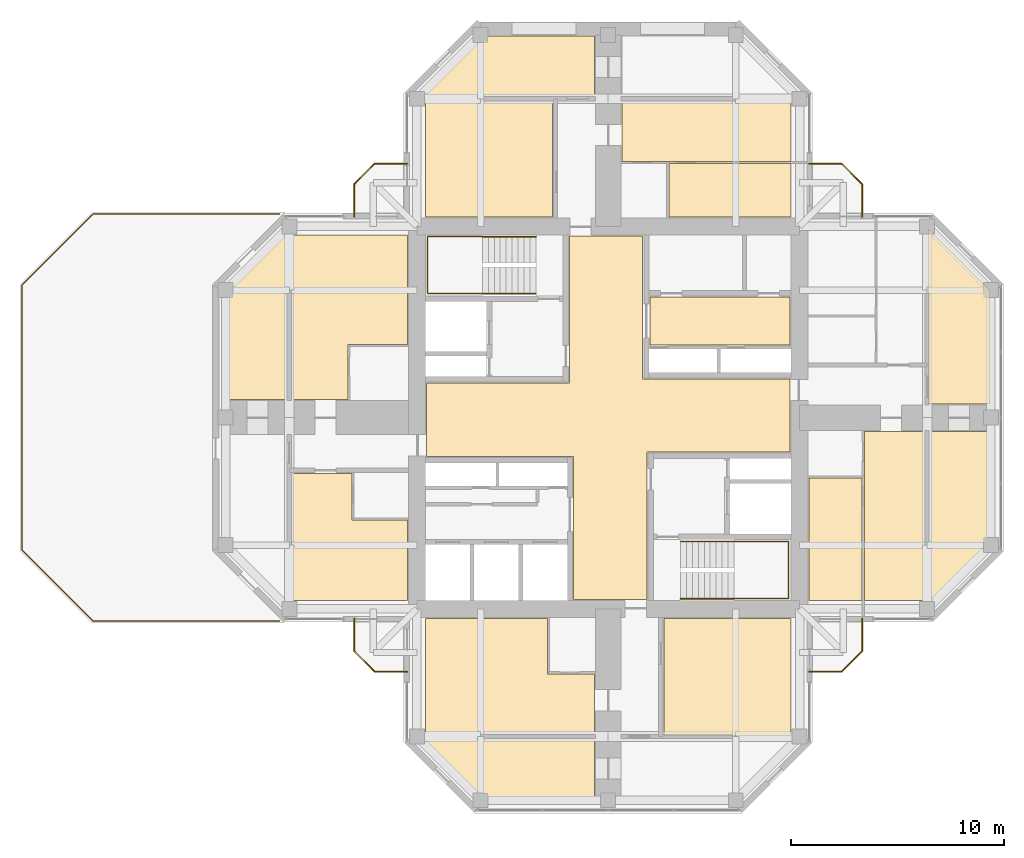
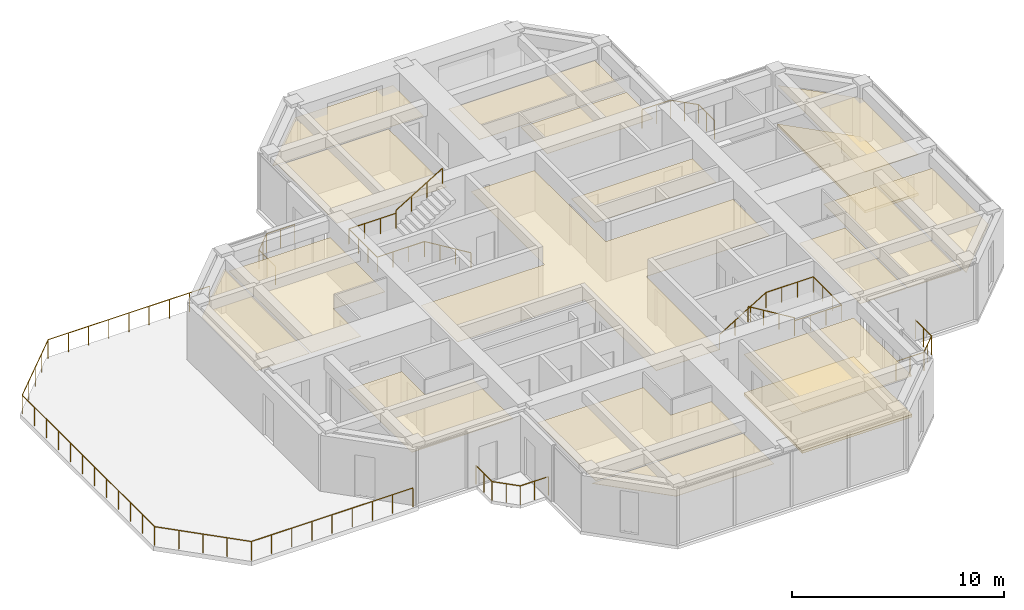
# One storey, part 13 of 14: 18 coverings, 9 railings.
"""IFC4 building model written with IfcOpenShell, lengths in metres."""

from ifc_helpers import new_model, si_unit, direction, frame, origin, origin_2d, place, context, subcontext, project, spatial, polyline, circle, outline, extrude, material, layer, layer_set, constituent, constituent_set, type_object, element, save


model = new_model("IFC4")

# Units and contexts
model_context = context("Model", 3, precision=1e-05, world=origin(), true_north=direction((0.0, 1.0)))
body_context = subcontext(model_context, "Body", "Model", "MODEL_VIEW")
ifc_project = project(units=[si_unit("LENGTHUNIT", "METRE"), si_unit("AREAUNIT", "SQUARE_METRE"), si_unit("VOLUMEUNIT", "CUBIC_METRE"), si_unit("PLANEANGLEUNIT", "RADIAN"), si_unit("MASSUNIT", "GRAM", prefix="KILO")], contexts=[model_context])

# Site, building, storey
site_placement = place(None, origin())
site = spatial("IfcSite", under=ifc_project, at=site_placement, CompositionType="ELEMENT")
building_placement = place(site_placement, origin())
building = spatial("IfcBuilding", under=site, at=building_placement, Name="Torre Cruceta", CompositionType="ELEMENT")
storey_placement = place(building_placement, frame((0.0, 0.0, 257.699951171875)))
storey = spatial("IfcBuildingStorey", under=building, at=storey_placement, Name="L66", CompositionType="ELEMENT", Elevation=257.699951171875)

# Railings
ifc_material_1 = material(Name="Stainless steel 1.4401", Category="steel")
ifc_constituent_1 = constituent(ifc_material_1, Name="Frame")
ifc_material_2 = material(Name="Laminated safety glass", Category="glass")
ifc_constituent_2 = constituent(ifc_material_2, Name="Infill")
ifc_constituent_set_1 = constituent_set(constituents=[ifc_constituent_1, ifc_constituent_2], Name="Stainless steel and laminated glass balustrade")
railing_type_1 = type_object("IfcRailingType", Name="BALCONY BALUSTRADE 1100", PredefinedType="BALUSTRADE", material=ifc_constituent_set_1)
railing_1_placement = place(storey_placement, frame((-9.449951171875, 11.949951171875, 0.0)))
element("IfcRailing", 1, at=railing_1_placement, inside=storey, type_object=railing_type_1, Name="BL1 balcony balustrade L66 N", PredefinedType="BALUSTRADE", context=body_context, shape_type="SweptSolid", body=[
    extrude(circle(Radius=0.02392578125, at=origin_2d()), frame((0.0, 0.0, 1.076171875), z_axis=(-1.0, 0.0, 0.0), x_axis=(0.0, -1.0, 0.0)), (0.0, 0.0, 1.0), 1.529296875),
    extrude(circle(Radius=0.02392578125, at=origin_2d()), frame((-1.529296875, 0.0, 1.076171875), z_axis=(-0.707106781187, -0.707106781187, 0.0), x_axis=(0.707106781187, -0.707106781187, 0.0)), (0.0, 0.0, 1.0), 1.372802734375),
    extrude(circle(Radius=0.02392578125, at=origin_2d()), frame((-2.5, -0.970703125, 1.076171875), z_axis=(0.0, -1.0, 0.0), x_axis=(1.0, 0.0, 0.0)), (0.0, 0.0, 1.0), 1.529296875),
    extrude(circle(Radius=0.02099609375, at=origin_2d()), origin(), (0.0, 0.0, 1.0), 1.052001953125),
    extrude(circle(Radius=0.02099609375, at=origin_2d()), frame((-0.7646484375, 0.0, 0.0)), (0.0, 0.0, 1.0), 1.052001953125),
    extrude(circle(Radius=0.02099609375, at=origin_2d()), frame((-1.529296875, 0.0, 0.0)), (0.0, 0.0, 1.0), 1.052001953125),
    extrude(circle(Radius=0.02099609375, at=origin_2d()), frame((-2.0146484375, -0.4853515625, 0.0)), (0.0, 0.0, 1.0), 1.052001953125),
    extrude(circle(Radius=0.02099609375, at=origin_2d()), frame((-2.5, -0.970703125, 0.0)), (0.0, 0.0, 1.0), 1.052001953125),
    extrude(circle(Radius=0.02099609375, at=origin_2d()), frame((-2.5, -1.7353515625, 0.0)), (0.0, 0.0, 1.0), 1.052001953125),
    extrude(circle(Radius=0.02099609375, at=origin_2d()), frame((-2.5, -2.5, 0.0)), (0.0, 0.0, 1.0), 1.052001953125),
])
railing_2_placement = place(storey_placement, frame((9.449951171875, 11.949951171875, 0.0)))
element("IfcRailing", 2, at=railing_2_placement, inside=storey, type_object=railing_type_1, Name="BL1 balcony balustrade L66 E", PredefinedType="BALUSTRADE", context=body_context, shape_type="SweptSolid", body=[
    extrude(circle(Radius=0.02392578125, at=origin_2d()), frame((0.0, 0.0, 1.076171875), z_axis=(1.0, 0.0, 0.0), x_axis=(0.0, 1.0, 0.0)), (0.0, 0.0, 1.0), 1.529296875),
    extrude(circle(Radius=0.02392578125, at=origin_2d()), frame((1.529296875, 0.0, 1.076171875), z_axis=(0.707106781187, -0.707106781187, 0.0), x_axis=(0.707106781187, 0.707106781187, 0.0)), (0.0, 0.0, 1.0), 1.372802734375),
    extrude(circle(Radius=0.02392578125, at=origin_2d()), frame((2.5, -0.970703125, 1.076171875), z_axis=(0.0, -1.0, 0.0), x_axis=(1.0, 0.0, 0.0)), (0.0, 0.0, 1.0), 1.529296875),
    extrude(circle(Radius=0.02099609375, at=origin_2d()), origin(), (0.0, 0.0, 1.0), 1.052001953125),
    extrude(circle(Radius=0.02099609375, at=origin_2d()), frame((0.7646484375, 0.0, 0.0)), (0.0, 0.0, 1.0), 1.052001953125),
    extrude(circle(Radius=0.02099609375, at=origin_2d()), frame((1.529296875, 0.0, 0.0)), (0.0, 0.0, 1.0), 1.052001953125),
    extrude(circle(Radius=0.02099609375, at=origin_2d()), frame((2.0146484375, -0.4853515625, 0.0)), (0.0, 0.0, 1.0), 1.052001953125),
    extrude(circle(Radius=0.02099609375, at=origin_2d()), frame((2.5, -0.970703125, 0.0)), (0.0, 0.0, 1.0), 1.052001953125),
    extrude(circle(Radius=0.02099609375, at=origin_2d()), frame((2.5, -1.7353515625, 0.0)), (0.0, 0.0, 1.0), 1.052001953125),
    extrude(circle(Radius=0.02099609375, at=origin_2d()), frame((2.5, -2.5, 0.0)), (0.0, 0.0, 1.0), 1.052001953125),
])
railing_3_placement = place(storey_placement, frame((9.449951171875, -11.949951171875, 0.0)))
element("IfcRailing", 3, at=railing_3_placement, inside=storey, type_object=railing_type_1, Name="BL1 balcony balustrade L66 S", PredefinedType="BALUSTRADE", context=body_context, shape_type="SweptSolid", body=[
    extrude(circle(Radius=0.02392578125, at=origin_2d()), frame((0.0, 0.0, 1.076171875), z_axis=(1.0, 0.0, 0.0), x_axis=(0.0, 1.0, 0.0)), (0.0, 0.0, 1.0), 1.529296875),
    extrude(circle(Radius=0.02392578125, at=origin_2d()), frame((1.529296875, 0.0, 1.076171875), z_axis=(0.707106781187, 0.707106781187, 0.0), x_axis=(-0.707106781187, 0.707106781187, 0.0)), (0.0, 0.0, 1.0), 1.372802734375),
    extrude(circle(Radius=0.02392578125, at=origin_2d()), frame((2.5, 0.970703125, 1.076171875), z_axis=(0.0, 1.0, 0.0), x_axis=(-1.0, 0.0, 0.0)), (0.0, 0.0, 1.0), 1.529296875),
    extrude(circle(Radius=0.02099609375, at=origin_2d()), origin(), (0.0, 0.0, 1.0), 1.052001953125),
    extrude(circle(Radius=0.02099609375, at=origin_2d()), frame((0.7646484375, 0.0, 0.0)), (0.0, 0.0, 1.0), 1.052001953125),
    extrude(circle(Radius=0.02099609375, at=origin_2d()), frame((1.529296875, 0.0, 0.0)), (0.0, 0.0, 1.0), 1.052001953125),
    extrude(circle(Radius=0.02099609375, at=origin_2d()), frame((2.0146484375, 0.4853515625, 0.0)), (0.0, 0.0, 1.0), 1.052001953125),
    extrude(circle(Radius=0.02099609375, at=origin_2d()), frame((2.5, 0.970703125, 0.0)), (0.0, 0.0, 1.0), 1.052001953125),
    extrude(circle(Radius=0.02099609375, at=origin_2d()), frame((2.5, 1.7353515625, 0.0)), (0.0, 0.0, 1.0), 1.052001953125),
    extrude(circle(Radius=0.02099609375, at=origin_2d()), frame((2.5, 2.5, 0.0)), (0.0, 0.0, 1.0), 1.052001953125),
])
railing_4_placement = place(storey_placement, frame((-9.449951171875, -11.949951171875, 0.0)))
element("IfcRailing", 4, at=railing_4_placement, inside=storey, type_object=railing_type_1, Name="BL1 balcony balustrade L66 W", PredefinedType="BALUSTRADE", context=body_context, shape_type="SweptSolid", body=[
    extrude(circle(Radius=0.02392578125, at=origin_2d()), frame((0.0, 0.0, 1.076171875), z_axis=(-1.0, 0.0, 0.0), x_axis=(0.0, -1.0, 0.0)), (0.0, 0.0, 1.0), 1.529296875),
    extrude(circle(Radius=0.02392578125, at=origin_2d()), frame((-1.529296875, 0.0, 1.076171875), z_axis=(-0.707106781187, 0.707106781187, 0.0), x_axis=(-0.707106781187, -0.707106781187, 0.0)), (0.0, 0.0, 1.0), 1.372802734375),
    extrude(circle(Radius=0.02392578125, at=origin_2d()), frame((-2.5, 0.970703125, 1.076171875), z_axis=(0.0, 1.0, 0.0), x_axis=(-1.0, 0.0, 0.0)), (0.0, 0.0, 1.0), 1.529296875),
    extrude(circle(Radius=0.02099609375, at=origin_2d()), origin(), (0.0, 0.0, 1.0), 1.052001953125),
    extrude(circle(Radius=0.02099609375, at=origin_2d()), frame((-0.7646484375, 0.0, 0.0)), (0.0, 0.0, 1.0), 1.052001953125),
    extrude(circle(Radius=0.02099609375, at=origin_2d()), frame((-1.529296875, 0.0, 0.0)), (0.0, 0.0, 1.0), 1.052001953125),
    extrude(circle(Radius=0.02099609375, at=origin_2d()), frame((-2.0146484375, 0.4853515625, 0.0)), (0.0, 0.0, 1.0), 1.052001953125),
    extrude(circle(Radius=0.02099609375, at=origin_2d()), frame((-2.5, 0.970703125, 0.0)), (0.0, 0.0, 1.0), 1.052001953125),
    extrude(circle(Radius=0.02099609375, at=origin_2d()), frame((-2.5, 1.7353515625, 0.0)), (0.0, 0.0, 1.0), 1.052001953125),
    extrude(circle(Radius=0.02099609375, at=origin_2d()), frame((-2.5, 2.5, 0.0)), (0.0, 0.0, 1.0), 1.052001953125),
])
ifc_material_3 = material(Name="Stainless steel 1.4401", Category="steel")
railing_type_2 = type_object("IfcRailingType", Name="HANDRAIL 900", PredefinedType="HANDRAIL", material=ifc_material_3)
railing_5_placement = place(storey_placement, frame((-3.39990234375, 5.8349609375, 0.170166015625)))
element("IfcRailing", 5, at=railing_5_placement, inside=storey, type_object=railing_type_2, Name="Handrail HR1 ST1 L66", PredefinedType="HANDRAIL", context=body_context, shape_type="SweptSolid", body=[
    extrude(circle(Radius=0.02392578125, at=origin_2d()), frame((0.0, 0.0, 0.8759765625), z_axis=(-0.854821627497, 0.0, 0.518921945155), x_axis=(0.0, -1.0, 0.0)), (0.0, 0.0, 1.0), 2.947998046875),
    extrude(circle(Radius=0.02392578125, at=origin_2d()), frame((-2.52001953125, 0.0, 2.40576171875), z_axis=(-1.0, 0.0, 0.0), x_axis=(0.0, -1.0, 0.0)), (0.0, 0.0, 1.0), 2.570068359375),
    extrude(circle(Radius=0.02392578125, at=origin_2d()), frame((-5.090087890625, 0.0, 2.40576171875), z_axis=(0.0, 1.0, 0.0), x_axis=(-1.0, 0.0, 0.0)), (0.0, 0.0, 1.0), 2.679931640625),
    extrude(circle(Radius=0.02392578125, at=origin_2d()), frame((-5.090087890625, 2.679931640625, 2.40576171875), z_axis=(1.0, 0.0, 0.0), x_axis=(0.0, 1.0, 0.0)), (0.0, 0.0, 1.0), 2.570068359375),
    extrude(circle(Radius=0.02099609375, at=origin_2d()), origin(), (0.0, 0.0, 1.0), 0.851806640625),
    extrude(circle(Radius=0.02099609375, at=origin_2d()), frame((-0.840087890625, 0.0, 0.510009765625)), (0.0, 0.0, 1.0), 0.851806640625),
    extrude(circle(Radius=0.02099609375, at=origin_2d()), frame((-1.679931640625, 0.0, 1.019775390625)), (0.0, 0.0, 1.0), 0.851806640625),
    extrude(circle(Radius=0.02099609375, at=origin_2d()), frame((-2.52001953125, 0.0, 1.52978515625)), (0.0, 0.0, 1.0), 0.851806640625),
    extrude(circle(Radius=0.02099609375, at=origin_2d()), frame((-3.376708984375, 0.0, 1.52978515625)), (0.0, 0.0, 1.0), 0.851806640625),
    extrude(circle(Radius=0.02099609375, at=origin_2d()), frame((-4.2333984375, 0.0, 1.52978515625)), (0.0, 0.0, 1.0), 0.851806640625),
    extrude(circle(Radius=0.02099609375, at=origin_2d()), frame((-5.090087890625, 0.0, 1.52978515625)), (0.0, 0.0, 1.0), 0.851806640625),
    extrude(circle(Radius=0.02099609375, at=origin_2d()), frame((-5.090087890625, 0.893310546875, 1.52978515625)), (0.0, 0.0, 1.0), 0.851806640625),
    extrude(circle(Radius=0.02099609375, at=origin_2d()), frame((-5.090087890625, 1.78662109375, 1.52978515625)), (0.0, 0.0, 1.0), 0.851806640625),
    extrude(circle(Radius=0.02099609375, at=origin_2d()), frame((-5.090087890625, 2.679931640625, 1.52978515625)), (0.0, 0.0, 1.0), 0.851806640625),
    extrude(circle(Radius=0.02099609375, at=origin_2d()), frame((-4.2333984375, 2.679931640625, 1.52978515625)), (0.0, 0.0, 1.0), 0.851806640625),
    extrude(circle(Radius=0.02099609375, at=origin_2d()), frame((-3.376708984375, 2.679931640625, 1.52978515625)), (0.0, 0.0, 1.0), 0.851806640625),
    extrude(circle(Radius=0.02099609375, at=origin_2d()), frame((-2.52001953125, 2.679931640625, 1.52978515625)), (0.0, 0.0, 1.0), 0.851806640625),
])
railing_6_placement = place(storey_placement, frame((-5.919921875, 8.514892578125, 1.8701171875)))
element("IfcRailing", 6, at=railing_6_placement, inside=storey, type_object=railing_type_2, Name="Handrail HR1 ST1 L66", PredefinedType="HANDRAIL", context=body_context, shape_type="SweptSolid", body=[
    extrude(circle(Radius=0.02392578125, at=origin_2d()), frame((0.0, 0.0, 0.8759765625), z_axis=(0.85478489116, 0.0, 0.518982456201), x_axis=(0.0, 1.0, 0.0)), (0.0, 0.0, 1.0), 2.9482421875),
    extrude(circle(Radius=0.02099609375, at=origin_2d()), origin(), (0.0, 0.0, 1.0), 0.851806640625),
    extrude(circle(Radius=0.02099609375, at=origin_2d()), frame((0.840087890625, 0.0, 0.510009765625)), (0.0, 0.0, 1.0), 0.851806640625),
    extrude(circle(Radius=0.02099609375, at=origin_2d()), frame((1.679931640625, 0.0, 1.02001953125)), (0.0, 0.0, 1.0), 0.851806640625),
    extrude(circle(Radius=0.02099609375, at=origin_2d()), frame((2.52001953125, 0.0, 1.530029296875)), (0.0, 0.0, 1.0), 0.851806640625),
])
railing_7_placement = place(storey_placement, frame((3.39990234375, -5.8349609375, 0.170166015625)))
element("IfcRailing", 7, at=railing_7_placement, inside=storey, type_object=railing_type_2, Name="Handrail HR1 ST2 L66", PredefinedType="HANDRAIL", context=body_context, shape_type="SweptSolid", body=[
    extrude(circle(Radius=0.02392578125, at=origin_2d()), frame((0.0, 0.0, 0.8759765625), z_axis=(0.854821627497, 0.0, 0.518921945155), x_axis=(0.0, 1.0, 0.0)), (0.0, 0.0, 1.0), 2.947998046875),
    extrude(circle(Radius=0.02392578125, at=origin_2d()), frame((2.52001953125, 0.0, 2.40576171875), z_axis=(1.0, 0.0, 0.0), x_axis=(0.0, 1.0, 0.0)), (0.0, 0.0, 1.0), 2.570068359375),
    extrude(circle(Radius=0.02392578125, at=origin_2d()), frame((5.090087890625, 0.0, 2.40576171875), z_axis=(0.0, -1.0, 0.0), x_axis=(1.0, 0.0, 0.0)), (0.0, 0.0, 1.0), 2.679931640625),
    extrude(circle(Radius=0.02392578125, at=origin_2d()), frame((5.090087890625, -2.679931640625, 2.40576171875), z_axis=(-1.0, 0.0, 0.0), x_axis=(0.0, -1.0, 0.0)), (0.0, 0.0, 1.0), 2.570068359375),
    extrude(circle(Radius=0.02099609375, at=origin_2d()), origin(), (0.0, 0.0, 1.0), 0.851806640625),
    extrude(circle(Radius=0.02099609375, at=origin_2d()), frame((0.840087890625, 0.0, 0.510009765625)), (0.0, 0.0, 1.0), 0.851806640625),
    extrude(circle(Radius=0.02099609375, at=origin_2d()), frame((1.679931640625, 0.0, 1.019775390625)), (0.0, 0.0, 1.0), 0.851806640625),
    extrude(circle(Radius=0.02099609375, at=origin_2d()), frame((2.52001953125, 0.0, 1.52978515625)), (0.0, 0.0, 1.0), 0.851806640625),
    extrude(circle(Radius=0.02099609375, at=origin_2d()), frame((3.376708984375, 0.0, 1.52978515625)), (0.0, 0.0, 1.0), 0.851806640625),
    extrude(circle(Radius=0.02099609375, at=origin_2d()), frame((4.2333984375, 0.0, 1.52978515625)), (0.0, 0.0, 1.0), 0.851806640625),
    extrude(circle(Radius=0.02099609375, at=origin_2d()), frame((5.090087890625, 0.0, 1.52978515625)), (0.0, 0.0, 1.0), 0.851806640625),
    extrude(circle(Radius=0.02099609375, at=origin_2d()), frame((5.090087890625, -0.893310546875, 1.52978515625)), (0.0, 0.0, 1.0), 0.851806640625),
    extrude(circle(Radius=0.02099609375, at=origin_2d()), frame((5.090087890625, -1.78662109375, 1.52978515625)), (0.0, 0.0, 1.0), 0.851806640625),
    extrude(circle(Radius=0.02099609375, at=origin_2d()), frame((5.090087890625, -2.679931640625, 1.52978515625)), (0.0, 0.0, 1.0), 0.851806640625),
    extrude(circle(Radius=0.02099609375, at=origin_2d()), frame((4.2333984375, -2.679931640625, 1.52978515625)), (0.0, 0.0, 1.0), 0.851806640625),
    extrude(circle(Radius=0.02099609375, at=origin_2d()), frame((3.376708984375, -2.679931640625, 1.52978515625)), (0.0, 0.0, 1.0), 0.851806640625),
    extrude(circle(Radius=0.02099609375, at=origin_2d()), frame((2.52001953125, -2.679931640625, 1.52978515625)), (0.0, 0.0, 1.0), 0.851806640625),
])
railing_8_placement = place(storey_placement, frame((5.919921875, -8.514892578125, 1.8701171875)))
element("IfcRailing", 8, at=railing_8_placement, inside=storey, type_object=railing_type_2, Name="Handrail HR1 ST2 L66", PredefinedType="HANDRAIL", context=body_context, shape_type="SweptSolid", body=[
    extrude(circle(Radius=0.02392578125, at=origin_2d()), frame((0.0, 0.0, 0.8759765625), z_axis=(-0.85478489116, 0.0, 0.518982456201), x_axis=(0.0, -1.0, 0.0)), (0.0, 0.0, 1.0), 2.9482421875),
    extrude(circle(Radius=0.02099609375, at=origin_2d()), origin(), (0.0, 0.0, 1.0), 0.851806640625),
    extrude(circle(Radius=0.02099609375, at=origin_2d()), frame((-0.840087890625, 0.0, 0.510009765625)), (0.0, 0.0, 1.0), 0.851806640625),
    extrude(circle(Radius=0.02099609375, at=origin_2d()), frame((-1.679931640625, 0.0, 1.02001953125)), (0.0, 0.0, 1.0), 0.851806640625),
    extrude(circle(Radius=0.02099609375, at=origin_2d()), frame((-2.52001953125, 0.0, 1.530029296875)), (0.0, 0.0, 1.0), 0.851806640625),
])

# Coverings
ifc_material_4 = material(Name="Steel DX51D", Category="steel")
ifc_constituent_3 = constituent(ifc_material_4, Name="Panel casing")
ifc_material_5 = material(Name="Calcium sulphate", Category="gypsum")
ifc_constituent_4 = constituent(ifc_material_5, Name="Panel core")
ifc_constituent_set_2 = constituent_set(constituents=[ifc_constituent_3, ifc_constituent_4], Name="Raised access floor panel")
covering_type_1 = type_object("IfcCoveringType", Name="RAISED ACCESS FLOOR 150", PredefinedType="FLOORING", material=ifc_constituent_set_2)
covering_1_placement = place(storey_placement, origin())
element("IfcCovering", 9, at=covering_1_placement, inside=storey, type_object=covering_type_1, Name="Raised floor L66-036", PredefinedType="FLOORING", context=body_context, shape_type="SweptSolid", body=[
    extrude(outline(polyline([(17.949951171875, 5.979248046875), (17.949951171875, 0.64990234375), (15.050048828125, 0.64990234375), (15.050048828125, 8.87939453125), (17.949951171875, 5.979248046875)])), origin(), (0.0, 0.0, 1.0), 0.150146484375),
])
covering_2_placement = place(storey_placement, origin())
element("IfcCovering", 10, at=covering_2_placement, inside=storey, type_object=covering_type_1, Name="Raised floor L66-039", PredefinedType="FLOORING", context=body_context, shape_type="SweptSolid", body=[
    extrude(outline(polyline([(2.625, -9.449951171875), (8.60009765625, -9.449951171875), (8.60009765625, -14.949951171875), (2.625, -14.949951171875), (2.625, -9.449951171875)])), origin(), (0.0, 0.0, 1.0), 0.150146484375),
])
ifc_material_6 = material(Name="Mineral fibre ceiling tile", Category="gypsum")
ifc_layer = layer(ifc_material_6, 0.02001953125)
ifc_layer_set = layer_set([ifc_layer], Name="Mineral fibre ceiling tile")
covering_type_2 = type_object("IfcCoveringType", Name="SUSPENDED CEILING 20", PredefinedType="CEILING", material=ifc_layer_set)
covering_3_placement = place(storey_placement, frame((0.0, 0.0, 2.35009765625)))
element("IfcCovering", 11, at=covering_3_placement, inside=storey, type_object=covering_type_2, Name="Ceiling L66-003", PredefinedType="CEILING", context=body_context, shape_type="SweptSolid", body=[
    extrude(outline(polyline([(-1.625, -8.550048828125), (-1.625, -1.824951171875), (-8.550048828125, -1.824951171875), (-8.550048828125, 1.625), (-1.824951171875, 1.625), (-1.824951171875, 8.550048828125), (1.625, 8.550048828125), (1.625, 1.824951171875), (8.550048828125, 1.824951171875), (8.550048828125, -1.625), (1.824951171875, -1.625), (1.824951171875, -8.550048828125), (-1.625, -8.550048828125)])), origin(), (0.0, 0.0, 1.0), 0.02001953125),
])
covering_4_placement = place(storey_placement, frame((0.0, 0.0, 2.35009765625)))
element("IfcCovering", 12, at=covering_4_placement, inside=storey, type_object=covering_type_2, Name="Ceiling L66-004", PredefinedType="CEILING", context=body_context, shape_type="SweptSolid", body=[
    extrude(outline(polyline([(1.97509765625, 3.425048828125), (1.97509765625, 5.675048828125), (8.550048828125, 5.675048828125), (8.550048828125, 3.425048828125), (1.97509765625, 3.425048828125)])), origin(), (0.0, 0.0, 1.0), 0.02001953125),
])
covering_5_placement = place(storey_placement, frame((0.0, 0.0, 2.35009765625)))
element("IfcCovering", 13, at=covering_5_placement, inside=storey, type_object=covering_type_2, Name="Ceiling L66-023", PredefinedType="CEILING", context=body_context, shape_type="SweptSolid", body=[
    extrude(outline(polyline([(-2.625, 9.449951171875), (-8.60009765625, 9.449951171875), (-8.60009765625, 14.949951171875), (-2.625, 14.949951171875), (-2.625, 9.449951171875)])), origin(), (0.0, 0.0, 1.0), 0.02001953125),
])
covering_6_placement = place(storey_placement, frame((0.0, 0.0, 2.35009765625)))
element("IfcCovering", 14, at=covering_6_placement, inside=storey, type_object=covering_type_2, Name="Ceiling L66-024", PredefinedType="CEILING", context=body_context, shape_type="SweptSolid", body=[
    extrude(outline(polyline([(8.60009765625, 14.949951171875), (8.60009765625, 12.050048828125), (0.64990234375, 12.050048828125), (0.64990234375, 14.949951171875), (8.60009765625, 14.949951171875)])), origin(), (0.0, 0.0, 1.0), 0.02001953125),
])
covering_7_placement = place(storey_placement, frame((0.0, 0.0, 2.35009765625)))
element("IfcCovering", 15, at=covering_7_placement, inside=storey, type_object=covering_type_2, Name="Ceiling L66-025", PredefinedType="CEILING", context=body_context, shape_type="SweptSolid", body=[
    extrude(outline(polyline([(8.60009765625, 9.449951171875), (2.85009765625, 9.449951171875), (2.85009765625, 11.949951171875), (8.60009765625, 11.949951171875), (8.60009765625, 9.449951171875)])), origin(), (0.0, 0.0, 1.0), 0.02001953125),
])
covering_8_placement = place(storey_placement, frame((0.0, 0.0, 2.35009765625)))
element("IfcCovering", 16, at=covering_8_placement, inside=storey, type_object=covering_type_2, Name="Ceiling L66-027", PredefinedType="CEILING", context=body_context, shape_type="SweptSolid", body=[
    extrude(outline(polyline([(-5.979248046875, 17.949951171875), (-0.64990234375, 17.949951171875), (-0.64990234375, 15.050048828125), (-8.87939453125, 15.050048828125), (-5.979248046875, 17.949951171875)])), origin(), (0.0, 0.0, 1.0), 0.02001953125),
])
covering_9_placement = place(storey_placement, frame((0.0, 0.0, 2.35009765625)))
element("IfcCovering", 17, at=covering_9_placement, inside=storey, type_object=covering_type_2, Name="Ceiling L66-033", PredefinedType="CEILING", context=body_context, shape_type="SweptSolid", body=[
    extrude(outline(polyline([(14.949951171875, -8.60009765625), (12.050048828125, -8.60009765625), (12.050048828125, -0.64990234375), (14.949951171875, -0.64990234375), (14.949951171875, -8.60009765625)])), origin(), (0.0, 0.0, 1.0), 0.02001953125),
])
covering_10_placement = place(storey_placement, frame((0.0, 0.0, 2.35009765625)))
element("IfcCovering", 18, at=covering_10_placement, inside=storey, type_object=covering_type_2, Name="Ceiling L66-034", PredefinedType="CEILING", context=body_context, shape_type="SweptSolid", body=[
    extrude(outline(polyline([(9.449951171875, -8.60009765625), (9.449951171875, -2.85009765625), (11.949951171875, -2.85009765625), (11.949951171875, -8.60009765625), (9.449951171875, -8.60009765625)])), origin(), (0.0, 0.0, 1.0), 0.02001953125),
])
covering_11_placement = place(storey_placement, frame((0.0, 0.0, 2.35009765625)))
element("IfcCovering", 19, at=covering_11_placement, inside=storey, type_object=covering_type_2, Name="Ceiling L66-036", PredefinedType="CEILING", context=body_context, shape_type="SweptSolid", body=[
    extrude(outline(polyline([(17.949951171875, 5.979248046875), (17.949951171875, 0.64990234375), (15.050048828125, 0.64990234375), (15.050048828125, 8.87939453125), (17.949951171875, 5.979248046875)])), origin(), (0.0, 0.0, 1.0), 0.02001953125),
])
covering_12_placement = place(storey_placement, frame((0.0, 0.0, 2.35009765625)))
element("IfcCovering", 20, at=covering_12_placement, inside=storey, type_object=covering_type_2, Name="Ceiling L66-037", PredefinedType="CEILING", context=body_context, shape_type="SweptSolid", body=[
    extrude(outline(polyline([(15.050048828125, -8.87939453125), (15.050048828125, -0.64990234375), (17.949951171875, -0.64990234375), (17.949951171875, -5.979248046875), (15.050048828125, -8.87939453125)])), origin(), (0.0, 0.0, 1.0), 0.02001953125),
])
covering_13_placement = place(storey_placement, frame((0.0, 0.0, 2.35009765625)))
element("IfcCovering", 21, at=covering_13_placement, inside=storey, type_object=covering_type_2, Name="Ceiling L66-039", PredefinedType="CEILING", context=body_context, shape_type="SweptSolid", body=[
    extrude(outline(polyline([(2.625, -9.449951171875), (8.60009765625, -9.449951171875), (8.60009765625, -14.949951171875), (2.625, -14.949951171875), (2.625, -9.449951171875)])), origin(), (0.0, 0.0, 1.0), 0.02001953125),
])
covering_14_placement = place(storey_placement, frame((0.0, 0.0, 2.35009765625)))
element("IfcCovering", 22, at=covering_14_placement, inside=storey, type_object=covering_type_2, Name="Ceiling L66-040", PredefinedType="CEILING", context=body_context, shape_type="SweptSolid", body=[
    extrude(outline(polyline([(-0.64990234375, -14.949951171875), (-8.60009765625, -14.949951171875), (-8.60009765625, -9.449951171875), (-2.85009765625, -9.449951171875), (-2.85009765625, -12.050048828125), (-0.64990234375, -12.050048828125), (-0.64990234375, -14.949951171875)])), origin(), (0.0, 0.0, 1.0), 0.02001953125),
])
covering_15_placement = place(storey_placement, frame((0.0, 0.0, 2.35009765625)))
element("IfcCovering", 23, at=covering_15_placement, inside=storey, type_object=covering_type_2, Name="Ceiling L66-043", PredefinedType="CEILING", context=body_context, shape_type="SweptSolid", body=[
    extrude(outline(polyline([(-8.87939453125, -15.050048828125), (-0.64990234375, -15.050048828125), (-0.64990234375, -17.949951171875), (-5.979248046875, -17.949951171875), (-8.87939453125, -15.050048828125)])), origin(), (0.0, 0.0, 1.0), 0.02001953125),
])
covering_16_placement = place(storey_placement, frame((0.0, 0.0, 2.35009765625)))
element("IfcCovering", 24, at=covering_16_placement, inside=storey, type_object=covering_type_2, Name="Ceiling L66-045", PredefinedType="CEILING", context=body_context, shape_type="SweptSolid", body=[
    extrude(outline(polyline([(-9.449951171875, -8.60009765625), (-14.949951171875, -8.60009765625), (-14.949951171875, -2.625), (-12.050048828125, -2.625), (-12.050048828125, -4.824951171875), (-9.449951171875, -4.824951171875), (-9.449951171875, -8.60009765625)])), origin(), (0.0, 0.0, 1.0), 0.02001953125),
])
covering_17_placement = place(storey_placement, frame((0.0, 0.0, 2.35009765625)))
element("IfcCovering", 25, at=covering_17_placement, inside=storey, type_object=covering_type_2, Name="Ceiling L66-047", PredefinedType="CEILING", context=body_context, shape_type="SweptSolid", body=[
    extrude(outline(polyline([(-14.949951171875, 0.85009765625), (-14.949951171875, 8.60009765625), (-9.449951171875, 8.60009765625), (-9.449951171875, 3.449951171875), (-12.25, 3.449951171875), (-12.25, 0.85009765625), (-14.949951171875, 0.85009765625)])), origin(), (0.0, 0.0, 1.0), 0.02001953125),
])
covering_18_placement = place(storey_placement, frame((0.0, 0.0, 2.35009765625)))
element("IfcCovering", 26, at=covering_18_placement, inside=storey, type_object=covering_type_2, Name="Ceiling L66-050", PredefinedType="CEILING", context=body_context, shape_type="SweptSolid", body=[
    extrude(outline(polyline([(-15.050048828125, 8.87939453125), (-15.050048828125, 0.85009765625), (-17.949951171875, 0.85009765625), (-17.949951171875, 5.979248046875), (-15.050048828125, 8.87939453125)])), origin(), (0.0, 0.0, 1.0), 0.02001953125),
])

# Railing
ifc_material_7 = material(Name="Stainless steel 1.4401", Category="steel")
ifc_constituent_5 = constituent(ifc_material_7, Name="Frame")
ifc_material_8 = material(Name="Laminated safety glass", Category="glass")
ifc_constituent_6 = constituent(ifc_material_8, Name="Infill")
ifc_constituent_set_3 = constituent_set(constituents=[ifc_constituent_5, ifc_constituent_6], Name="Stainless steel and laminated glass balustrade")
railing_type_3 = type_object("IfcRailingType", Name="TERRACE GUARD 1100", PredefinedType="GUARDRAIL", material=ifc_constituent_set_3)
railing_9_placement = place(storey_placement, frame((-15.4482421875, -9.570068359375, 0.0)))
element("IfcRailing", 27, at=railing_9_placement, inside=storey, type_object=railing_type_3, Name="GR1 terrace guard L66 1", PredefinedType="GUARDRAIL", context=body_context, shape_type="SweptSolid", body=[
    extrude(circle(Radius=0.02392578125, at=origin_2d()), frame((0.0, 0.0, 1.076171875), z_axis=(-1.0, 0.0, 0.0), x_axis=(0.0, -1.0, 0.0)), (0.0, 0.0, 1.0), 8.787841796875),
    extrude(circle(Radius=0.02392578125, at=origin_2d()), frame((-8.787841796875, 0.0, 1.076171875), z_axis=(-0.707106781187, 0.707106781187, 0.0), x_axis=(-0.707106781187, -0.707106781187, 0.0)), (0.0, 0.0, 1.0), 4.715087890625),
    extrude(circle(Radius=0.02392578125, at=origin_2d()), frame((-12.121826171875, 3.333984375, 1.076171875), z_axis=(0.0, 1.0, 0.0), x_axis=(-1.0, 0.0, 0.0)), (0.0, 0.0, 1.0), 12.47216796875),
    extrude(circle(Radius=0.02392578125, at=origin_2d()), frame((-12.121826171875, 15.80615234375, 1.076171875), z_axis=(0.707106781187, 0.707106781187, 0.0), x_axis=(-0.707106781187, 0.707106781187, 0.0)), (0.0, 0.0, 1.0), 4.715087890625),
    extrude(circle(Radius=0.02392578125, at=origin_2d()), frame((-8.787841796875, 19.14013671875, 1.076171875), z_axis=(1.0, 0.0, 0.0), x_axis=(0.0, 1.0, 0.0)), (0.0, 0.0, 1.0), 8.787841796875),
    extrude(circle(Radius=0.02099609375, at=origin_2d()), origin(), (0.0, 0.0, 1.0), 1.052001953125),
    extrude(circle(Radius=0.02099609375, at=origin_2d()), frame((-1.098388671875, 0.0, 0.0)), (0.0, 0.0, 1.0), 1.052001953125),
    extrude(circle(Radius=0.02099609375, at=origin_2d()), frame((-2.197021484375, 0.0, 0.0)), (0.0, 0.0, 1.0), 1.052001953125),
    extrude(circle(Radius=0.02099609375, at=origin_2d()), frame((-3.29541015625, 0.0, 0.0)), (0.0, 0.0, 1.0), 1.052001953125),
    extrude(circle(Radius=0.02099609375, at=origin_2d()), frame((-4.39404296875, 0.0, 0.0)), (0.0, 0.0, 1.0), 1.052001953125),
    extrude(circle(Radius=0.02099609375, at=origin_2d()), frame((-5.492431640625, 0.0, 0.0)), (0.0, 0.0, 1.0), 1.052001953125),
    extrude(circle(Radius=0.02099609375, at=origin_2d()), frame((-6.5908203125, 0.0, 0.0)), (0.0, 0.0, 1.0), 1.052001953125),
    extrude(circle(Radius=0.02099609375, at=origin_2d()), frame((-7.689453125, 0.0, 0.0)), (0.0, 0.0, 1.0), 1.052001953125),
    extrude(circle(Radius=0.02099609375, at=origin_2d()), frame((-8.787841796875, 0.0, 0.0)), (0.0, 0.0, 1.0), 1.052001953125),
    extrude(circle(Radius=0.02099609375, at=origin_2d()), frame((-9.621337890625, 0.83349609375, 0.0)), (0.0, 0.0, 1.0), 1.052001953125),
    extrude(circle(Radius=0.02099609375, at=origin_2d()), frame((-10.454833984375, 1.6669921875, 0.0)), (0.0, 0.0, 1.0), 1.052001953125),
    extrude(circle(Radius=0.02099609375, at=origin_2d()), frame((-11.288330078125, 2.50048828125, 0.0)), (0.0, 0.0, 1.0), 1.052001953125),
    extrude(circle(Radius=0.02099609375, at=origin_2d()), frame((-12.121826171875, 3.333984375, 0.0)), (0.0, 0.0, 1.0), 1.052001953125),
    extrude(circle(Radius=0.02099609375, at=origin_2d()), frame((-12.121826171875, 4.4677734375, 0.0)), (0.0, 0.0, 1.0), 1.052001953125),
    extrude(circle(Radius=0.02099609375, at=origin_2d()), frame((-12.121826171875, 5.6015625, 0.0)), (0.0, 0.0, 1.0), 1.052001953125),
    extrude(circle(Radius=0.02099609375, at=origin_2d()), frame((-12.121826171875, 6.735595703125, 0.0)), (0.0, 0.0, 1.0), 1.052001953125),
    extrude(circle(Radius=0.02099609375, at=origin_2d()), frame((-12.121826171875, 7.869384765625, 0.0)), (0.0, 0.0, 1.0), 1.052001953125),
    extrude(circle(Radius=0.02099609375, at=origin_2d()), frame((-12.121826171875, 9.003173828125, 0.0)), (0.0, 0.0, 1.0), 1.052001953125),
    extrude(circle(Radius=0.02099609375, at=origin_2d()), frame((-12.121826171875, 10.136962890625, 0.0)), (0.0, 0.0, 1.0), 1.052001953125),
    extrude(circle(Radius=0.02099609375, at=origin_2d()), frame((-12.121826171875, 11.270751953125, 0.0)), (0.0, 0.0, 1.0), 1.052001953125),
    extrude(circle(Radius=0.02099609375, at=origin_2d()), frame((-12.121826171875, 12.404541015625, 0.0)), (0.0, 0.0, 1.0), 1.052001953125),
    extrude(circle(Radius=0.02099609375, at=origin_2d()), frame((-12.121826171875, 13.53857421875, 0.0)), (0.0, 0.0, 1.0), 1.052001953125),
    extrude(circle(Radius=0.02099609375, at=origin_2d()), frame((-12.121826171875, 14.67236328125, 0.0)), (0.0, 0.0, 1.0), 1.052001953125),
    extrude(circle(Radius=0.02099609375, at=origin_2d()), frame((-12.121826171875, 15.80615234375, 0.0)), (0.0, 0.0, 1.0), 1.052001953125),
    extrude(circle(Radius=0.02099609375, at=origin_2d()), frame((-11.288330078125, 16.6396484375, 0.0)), (0.0, 0.0, 1.0), 1.052001953125),
    extrude(circle(Radius=0.02099609375, at=origin_2d()), frame((-10.454833984375, 17.47314453125, 0.0)), (0.0, 0.0, 1.0), 1.052001953125),
    extrude(circle(Radius=0.02099609375, at=origin_2d()), frame((-9.621337890625, 18.306640625, 0.0)), (0.0, 0.0, 1.0), 1.052001953125),
    extrude(circle(Radius=0.02099609375, at=origin_2d()), frame((-8.787841796875, 19.14013671875, 0.0)), (0.0, 0.0, 1.0), 1.052001953125),
    extrude(circle(Radius=0.02099609375, at=origin_2d()), frame((-7.689453125, 19.14013671875, 0.0)), (0.0, 0.0, 1.0), 1.052001953125),
    extrude(circle(Radius=0.02099609375, at=origin_2d()), frame((-6.5908203125, 19.14013671875, 0.0)), (0.0, 0.0, 1.0), 1.052001953125),
    extrude(circle(Radius=0.02099609375, at=origin_2d()), frame((-5.492431640625, 19.14013671875, 0.0)), (0.0, 0.0, 1.0), 1.052001953125),
    extrude(circle(Radius=0.02099609375, at=origin_2d()), frame((-4.39404296875, 19.14013671875, 0.0)), (0.0, 0.0, 1.0), 1.052001953125),
    extrude(circle(Radius=0.02099609375, at=origin_2d()), frame((-3.29541015625, 19.14013671875, 0.0)), (0.0, 0.0, 1.0), 1.052001953125),
    extrude(circle(Radius=0.02099609375, at=origin_2d()), frame((-2.197021484375, 19.14013671875, 0.0)), (0.0, 0.0, 1.0), 1.052001953125),
    extrude(circle(Radius=0.02099609375, at=origin_2d()), frame((-1.098388671875, 19.14013671875, 0.0)), (0.0, 0.0, 1.0), 1.052001953125),
    extrude(circle(Radius=0.02099609375, at=origin_2d()), frame((0.0, 19.14013671875, 0.0)), (0.0, 0.0, 1.0), 1.052001953125),
])

save(model, "model.ifc")
